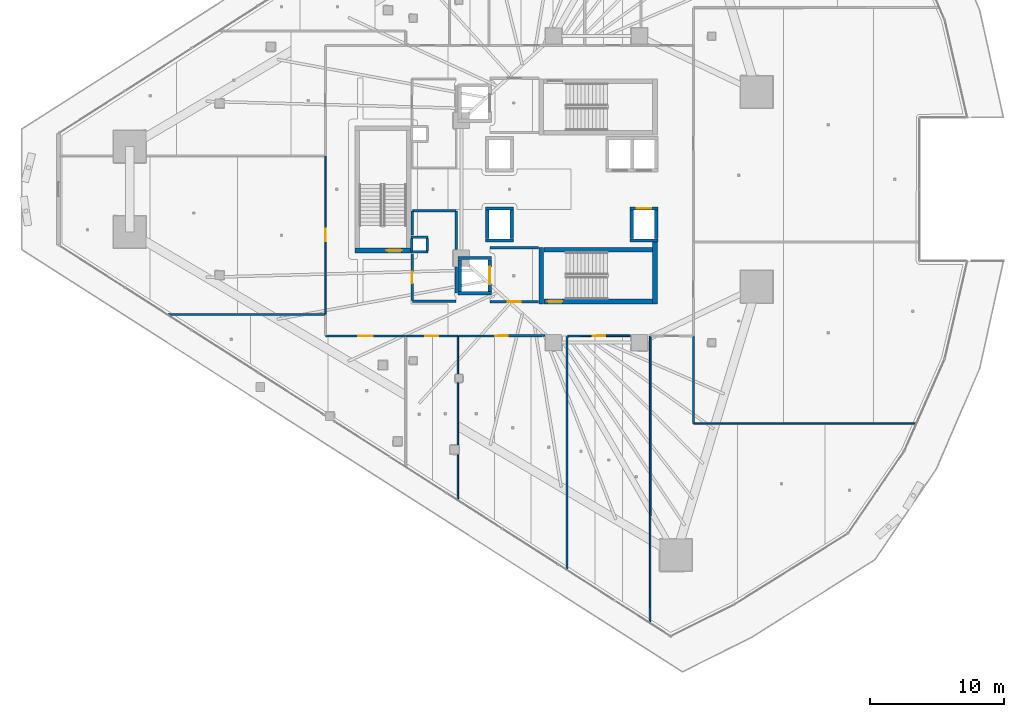
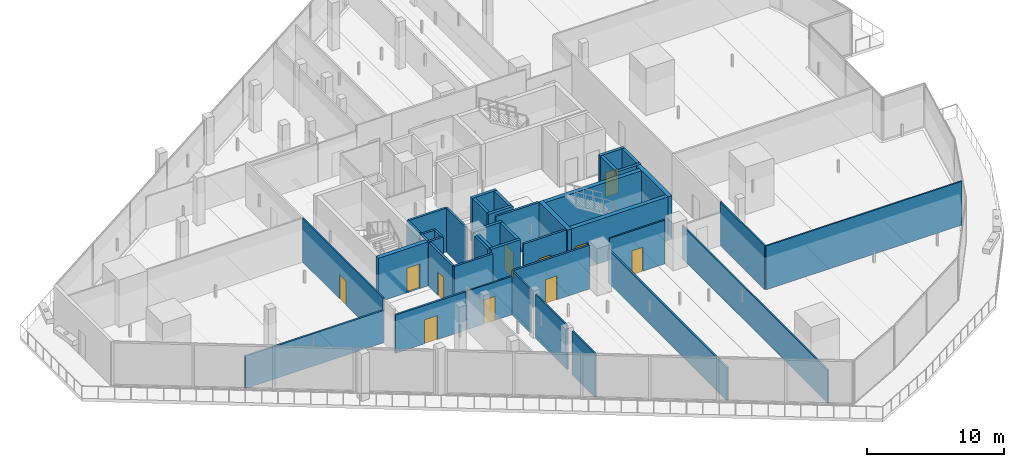
# One storey, part 28 of 44: 42 walls, 11 doors, 11 openings.
"""IFC4 building model written with IfcOpenShell, lengths in metres."""

from ifc_helpers import new_model, si_unit, direction, frame, frame_2d, origin, place, context, subcontext, project, spatial, rectangle, extrude, material, layer, layer_set, type_object, element, fill, save


model = new_model("IFC4")

# Units and contexts
model_context = context("Model", 3, precision=1e-05, world=origin(), true_north=direction((0.0, 1.0)))
body_context = subcontext(model_context, "Body", "Model", "MODEL_VIEW")
ifc_project = project(units=[si_unit("LENGTHUNIT", "METRE"), si_unit("AREAUNIT", "SQUARE_METRE"), si_unit("VOLUMEUNIT", "CUBIC_METRE"), si_unit("PLANEANGLEUNIT", "RADIAN"), si_unit("MASSUNIT", "GRAM", prefix="KILO")], contexts=[model_context])

# Site, building, storey
site_placement = place(None, origin())
site = spatial("IfcSite", under=ifc_project, at=site_placement, CompositionType="ELEMENT")
building_placement = place(site_placement, origin())
building = spatial("IfcBuilding", under=site, at=building_placement, Name="Qorvath Tower", CompositionType="ELEMENT")
storey_placement = place(building_placement, frame((0.0, 0.0, 45.0)))
storey = spatial("IfcBuildingStorey", under=building, at=storey_placement, Name="L09", CompositionType="ELEMENT", Elevation=45.0)

# Walls
ifc_material_1 = material(Name="Gypsum shaftliner on steel studs", Category="steel")
ifc_layer_1 = layer(ifc_material_1, 0.179931640625)
ifc_layer_set_1 = layer_set([ifc_layer_1], Name="FW-LOBBY")
wall_type_1 = type_object("IfcWallType", Name="FW-LOBBY", PredefinedType="PARTITIONING", material=ifc_layer_set_1)
for number, where, z_axis, x_axis, name in (
    (1, (-32.989990234375, -4.675048828125, 0.0), (0.0, 0.0, 1.0), (-1.0, 0.0, 0.0), "MEP Riser Shaft Enclosure Wall S-L09-S"),
    (2, (-34.260009765625, -3.594970703125, 0.0), (0.0, 0.0, 1.0), (1.0, 0.0, 0.0), "MEP Riser Shaft Enclosure Wall S-L09-N"),
):
    element("IfcWall", number, at=place(storey_placement, frame(where, z_axis=z_axis, x_axis=x_axis)), inside=storey, type_object=wall_type_1, Name=name, PredefinedType="PARTITIONING", context=body_context, shape_type="SweptSolid", body=[
        extrude(rectangle(XDim=1.27001953125, YDim=0.179931640625, at=frame_2d((0.635009765625, 0.0))), origin(), (0.0, 0.0, 1.0), 3.919921875),
    ])
for number, where, z_axis, x_axis, name in (
    (3, (-34.205078125, -4.610107421875, 0.0), (0.0, 0.0, 1.0), (0.0, 1.0, 0.0), "MEP Riser Shaft Enclosure Wall S-L09-W"),
    (4, (-33.044921875, -3.659912109375, 0.0), (0.0, 0.0, 1.0), (0.0, -1.0, 0.0), "MEP Riser Shaft Enclosure Wall S-L09-E"),
):
    element("IfcWall", number, at=place(storey_placement, frame(where, z_axis=z_axis, x_axis=x_axis)), inside=storey, type_object=wall_type_1, Name=name, PredefinedType="PARTITIONING", context=body_context, shape_type="SweptSolid", body=[
        extrude(rectangle(XDim=0.9501953125, YDim=0.179931640625, at=frame_2d((0.47509765625, 0.0))), origin(), (0.0, 0.0, 1.0), 3.919921875),
    ])

# Wall, opening, door
wall_1_placement = place(storey_placement, frame((-28.35498046875, -8.39990234375, 0.0), z_axis=(0.0, 0.0, 1.0), x_axis=(1.0, 0.0, 0.0)))
wall_1 = element("IfcWall", 5, at=wall_1_placement, inside=storey, type_object=wall_type_1, Name="Interior Partition IW-T1-L09-003", PredefinedType="PARTITIONING", context=body_context, shape_type="SweptSolid", body=[
    extrude(rectangle(XDim=3.6220703125, YDim=0.179931640625, at=frame_2d((1.81103515625, 0.0))), origin(), (0.0, 0.0, 1.0), 3.919921875),
])
opening_1_placement = place(wall_1_placement, frame((1.31103515625, 0.0, 0.0)))
opening_1 = element("IfcOpeningElement", 6, at=opening_1_placement, cuts=wall_1, Name="Opening D-T1-L09-18", PredefinedType="OPENING", context=body_context, shape_type="SweptSolid", body=[
    extrude(rectangle(XDim=1.0, YDim=2.14990234375, at=frame_2d((0.5, 1.074951171875))), frame((0.0, 0.10009765625, 0.0), z_axis=(0.0, -1.0, 0.0), x_axis=(1.0, 0.0, 0.0)), (0.0, 0.0, 1.0), 0.199951171875),
])
ifc_material_2 = material(Name="Painted galvanised hollow metal", Category="steel")
door_type_1 = type_object("IfcDoorType", Name="FD-60", OperationType="NOTDEFINED", PredefinedType="DOOR", material=ifc_material_2)
door_1_placement = place(opening_1_placement, origin())
door_1 = element("IfcDoor", 7, at=door_1_placement, inside=storey, type_object=door_type_1, Name="Lobby Fire Service Elevator South Door D-T1-L09-18", OperationType="SINGLE_SWING_LEFT", OverallHeight=2.14990234375, OverallWidth=1.0, PredefinedType="DOOR", context=body_context, shape_type="SweptSolid", body=[
    extrude(rectangle(XDim=1.0, YDim=2.14990234375, at=frame_2d((0.5, 1.074951171875))), frame((0.0, 0.02490234375, 0.0), z_axis=(0.0, -1.0, 0.0), x_axis=(1.0, 0.0, 0.0)), (0.0, 0.0, 1.0), 0.050048828125),
])
fill(opening_1, door_1)

# Walls
wall_2_placement = place(storey_placement, frame((-24.73291015625, -4.35009765625, 0.0), z_axis=(0.0, 0.0, 1.0), x_axis=(-1.0, 0.0, 0.0)))
element("IfcWall", 8, at=wall_2_placement, inside=storey, type_object=wall_type_1, Name="Interior Partition IW-T1-L09-004", PredefinedType="PARTITIONING", context=body_context, shape_type="SweptSolid", body=[
    extrude(rectangle(XDim=3.6220703125, YDim=0.179931640625, at=frame_2d((1.81103515625, 0.0))), origin(), (0.0, 0.0, 1.0), 3.919921875),
])
wall_3_placement = place(storey_placement, frame((-34.15478515625, -8.35009765625, 0.0), z_axis=(0.0, 0.0, 1.0), x_axis=(1.0, 0.0, 0.0)))
element("IfcWall", 9, at=wall_3_placement, inside=storey, type_object=wall_type_1, Name="Interior Partition IW-T1-L09-011", PredefinedType="PARTITIONING", context=body_context, shape_type="SweptSolid", body=[
    extrude(rectangle(XDim=3.25, YDim=0.179931640625, at=frame_2d((1.625, 0.0))), origin(), (0.0, 0.0, 1.0), 3.919921875),
])
wall_4_placement = place(storey_placement, frame((-30.8798828125, -7.742919921875, 0.0), z_axis=(0.0, 0.0, 1.0), x_axis=(0.0, 1.0, 0.0)))
element("IfcWall", 10, at=wall_4_placement, inside=storey, type_object=wall_type_1, Name="Interior Partition IW-T1-L09-012", PredefinedType="PARTITIONING", context=body_context, shape_type="SweptSolid", body=[
    extrude(rectangle(XDim=1.927978515625, YDim=0.179931640625, at=frame_2d((0.9638671875, 0.0))), origin(), (0.0, 0.0, 1.0), 3.919921875),
])
wall_5_placement = place(storey_placement, frame((-30.8798828125, -4.485107421875, 0.0), z_axis=(0.0, 0.0, 1.0), x_axis=(0.0, 1.0, 0.0)))
element("IfcWall", 11, at=wall_5_placement, inside=storey, type_object=wall_type_1, Name="Interior Partition IW-T1-L09-013", PredefinedType="PARTITIONING", context=body_context, shape_type="SweptSolid", body=[
    extrude(rectangle(XDim=2.860107421875, YDim=0.179931640625, at=frame_2d((1.43017578125, 0.0))), origin(), (0.0, 0.0, 1.0), 3.919921875),
])
wall_6_placement = place(storey_placement, frame((-30.90478515625, -1.60009765625, 0.0), z_axis=(0.0, 0.0, 1.0), x_axis=(-1.0, 0.0, 0.0)))
element("IfcWall", 12, at=wall_6_placement, inside=storey, type_object=wall_type_1, Name="Interior Partition IW-T1-L09-014", PredefinedType="PARTITIONING", context=body_context, shape_type="SweptSolid", body=[
    extrude(rectangle(XDim=3.25, YDim=0.179931640625, at=frame_2d((1.625, 0.0))), origin(), (0.0, 0.0, 1.0), 3.919921875),
])
wall_7_placement = place(storey_placement, frame((-34.179931640625, -1.625, 0.0), z_axis=(0.0, 0.0, 1.0), x_axis=(0.0, -1.0, 0.0)))
element("IfcWall", 13, at=wall_7_placement, inside=storey, type_object=wall_type_1, Name="Interior Partition IW-T1-L09-015", PredefinedType="PARTITIONING", context=body_context, shape_type="SweptSolid", body=[
    extrude(rectangle(XDim=1.804931640625, YDim=0.179931640625, at=frame_2d((0.90234375, 0.0))), origin(), (0.0, 0.0, 1.0), 3.919921875),
])

# Wall, opening, door
wall_8_placement = place(storey_placement, frame((-34.179931640625, -4.840087890625, 0.0), z_axis=(0.0, 0.0, 1.0), x_axis=(0.0, -1.0, 0.0)))
wall_8 = element("IfcWall", 14, at=wall_8_placement, inside=storey, type_object=wall_type_1, Name="Interior Partition IW-T1-L09-016", PredefinedType="PARTITIONING", context=body_context, shape_type="SweptSolid", body=[
    extrude(rectangle(XDim=3.485107421875, YDim=0.179931640625, at=frame_2d((1.74267578125, 0.0))), origin(), (0.0, 0.0, 1.0), 3.919921875),
])
opening_2_placement = place(wall_8_placement, frame((1.302490234375, 0.0, 0.0)))
opening_2 = element("IfcOpeningElement", 15, at=opening_2_placement, cuts=wall_8, Name="Opening D-T1-L09-02", PredefinedType="OPENING", context=body_context, shape_type="SweptSolid", body=[
    extrude(rectangle(XDim=0.8798828125, YDim=2.10009765625, at=frame_2d((0.43994140625, 1.050048828125))), frame((0.0, 0.10009765625, 0.0), z_axis=(0.0, -1.0, 0.0), x_axis=(1.0, 0.0, 0.0)), (0.0, 0.0, 1.0), 0.199951171875),
])
ifc_material_3 = material(Name="Painted galvanised hollow metal", Category="steel")
door_type_2 = type_object("IfcDoorType", Name="FD-60N", OperationType="NOTDEFINED", PredefinedType="DOOR", material=ifc_material_3)
door_2_placement = place(opening_2_placement, origin())
door_2 = element("IfcDoor", 16, at=door_2_placement, inside=storey, type_object=door_type_2, Name="Core electrical and cleaner room L09 Door D-T1-L09-02", OperationType="SINGLE_SWING_LEFT", OverallHeight=2.10009765625, OverallWidth=0.8798828125, PredefinedType="DOOR", context=body_context, shape_type="SweptSolid", body=[
    extrude(rectangle(XDim=0.8798828125, YDim=2.10009765625, at=frame_2d((0.43994140625, 1.050048828125))), frame((0.0, 0.02490234375, 0.0), z_axis=(0.0, -1.0, 0.0), x_axis=(1.0, 0.0, 0.0)), (0.0, 0.0, 1.0), 0.050048828125),
])
fill(opening_2, door_2)

ifc_material_4 = material(Name="Double acoustic gypsum board on steel studs", Category="steel")
ifc_layer_2 = layer(ifc_material_4, 0.159912109375)
ifc_layer_set_2 = layer_set([ifc_layer_2], Name="IW-ACOUSTIC-160")
wall_type_2 = type_object("IfcWallType", Name="IW-ACOUSTIC-160", PredefinedType="PARTITIONING", material=ifc_layer_set_2)
wall_9_placement = place(storey_placement, frame((-24.264892578125, -10.935302734375, 0.0), z_axis=(0.0, 0.0, 1.0), x_axis=(-0.999993822894, -0.003514850354, 0.0)))
wall_9 = element("IfcWall", 17, at=wall_9_placement, inside=storey, type_object=wall_type_2, Name="Interior Partition IW-T1-L09-037", PredefinedType="PARTITIONING", context=body_context, shape_type="SweptSolid", body=[
    extrude(rectangle(XDim=6.459716796875, YDim=0.159912109375, at=frame_2d((3.22998046875, 0.0))), origin(), (0.0, 0.0, 1.0), 3.919921875),
])
opening_3_placement = place(wall_9_placement, frame((2.7548828125, 0.0, 0.0)))
opening_3 = element("IfcOpeningElement", 18, at=opening_3_placement, cuts=wall_9, Name="Opening D-T1-L09-09", PredefinedType="OPENING", context=body_context, shape_type="SweptSolid", body=[
    extrude(rectangle(XDim=0.949951171875, YDim=2.14990234375, at=frame_2d((0.47509765625, 1.074951171875))), frame((0.0, 0.08984375, 0.0), z_axis=(0.0, -1.0, 0.0), x_axis=(1.0, 0.0, 0.0)), (0.0, 0.0, 1.0), 0.179931640625),
])
ifc_material_5 = material(Name="Solid-core American white oak veneer", Category="wood")
door_type_3 = type_object("IfcDoorType", Name="D-01", OperationType="NOTDEFINED", PredefinedType="DOOR", material=ifc_material_5)
door_3_placement = place(opening_3_placement, origin())
door_3 = element("IfcDoor", 19, at=door_3_placement, inside=storey, type_object=door_type_3, Name="L09-07 Breakout Reading Alcove Door D-T1-L09-09", OperationType="SINGLE_SWING_RIGHT", OverallHeight=2.14990234375, OverallWidth=0.949951171875, PredefinedType="DOOR", context=body_context, shape_type="SweptSolid", body=[
    extrude(rectangle(XDim=0.949951171875, YDim=2.14990234375, at=frame_2d((0.47509765625, 1.074951171875))), frame((0.0, 0.02490234375, 0.0), z_axis=(0.0, -1.0, 0.0), x_axis=(1.0, 0.0, 0.0)), (0.0, 0.0, 1.0), 0.050048828125),
])
fill(opening_3, door_3)

# Wall
wall_10_placement = place(storey_placement, frame((-22.6083984375, -28.378173828125, 0.0), z_axis=(0.0, 0.0, 1.0), x_axis=(0.001038581355, 0.999999460674, 0.0)))
element("IfcWall", 20, at=wall_10_placement, inside=storey, type_object=wall_type_2, Name="Interior Partition IW-T1-L09-038", PredefinedType="PARTITIONING", context=body_context, shape_type="SweptSolid", body=[
    extrude(rectangle(XDim=17.395263671875, YDim=0.159912109375, at=frame_2d((8.69775390625, 0.0))), origin(), (0.0, 0.0, 1.0), 2.956787109375),
])

# Wall, opening, door
wall_11_placement = place(storey_placement, frame((-34.68310546875, -10.9580078125, 0.0), z_axis=(0.0, 0.0, 1.0), x_axis=(-1.0, 0.0, 0.0)))
wall_11 = element("IfcWall", 21, at=wall_11_placement, inside=storey, type_object=wall_type_2, Name="Interior Partition IW-T1-L09-047", PredefinedType="PARTITIONING", context=body_context, shape_type="SweptSolid", body=[
    extrude(rectangle(XDim=5.949951171875, YDim=0.159912109375, at=frame_2d((2.97509765625, 0.0))), origin(), (0.0, 0.0, 1.0), 3.432861328125),
])
opening_4_placement = place(wall_11_placement, frame((2.425048828125, 0.0, 0.0)))
opening_4 = element("IfcOpeningElement", 22, at=opening_4_placement, cuts=wall_11, Name="Opening D-T1-L09-14", PredefinedType="OPENING", context=body_context, shape_type="SweptSolid", body=[
    extrude(rectangle(XDim=1.10009765625, YDim=2.14990234375, at=frame_2d((0.550048828125, 1.074951171875))), frame((0.0, 0.08984375, 0.0), z_axis=(0.0, -1.0, 0.0), x_axis=(1.0, 0.0, 0.0)), (0.0, 0.0, 1.0), 0.179931640625),
])
ifc_material_6 = material(Name="Anodised aluminium acoustic framed glass", Category="aluminium")
door_type_4 = type_object("IfcDoorType", Name="D-03", OperationType="NOTDEFINED", PredefinedType="DOOR", material=ifc_material_6)
door_4_placement = place(opening_4_placement, origin())
door_4 = element("IfcDoor", 23, at=door_4_placement, inside=storey, type_object=door_type_4, Name="L09-12 Client Services Office Door D-T1-L09-14", OperationType="SINGLE_SWING_LEFT", OverallHeight=2.14990234375, OverallWidth=1.10009765625, PredefinedType="DOOR", context=body_context, shape_type="SweptSolid", body=[
    extrude(rectangle(XDim=1.10009765625, YDim=2.14990234375, at=frame_2d((0.550048828125, 1.074951171875))), frame((0.0, 0.02490234375, 0.0), z_axis=(0.0, -1.0, 0.0), x_axis=(1.0, 0.0, 0.0)), (0.0, 0.0, 1.0), 0.050048828125),
])
fill(opening_4, door_4)

# Wall
wall_12_placement = place(storey_placement, frame((-40.68310546875, -9.349609375, 0.0), z_axis=(0.0, 0.0, 1.0), x_axis=(-1.0, 0.0, 0.0)))
element("IfcWall", 24, at=wall_12_placement, inside=storey, type_object=wall_type_2, Name="Interior Partition IW-T1-L09-049", PredefinedType="PARTITIONING", context=body_context, shape_type="SweptSolid", body=[
    extrude(rectangle(XDim=11.7431640625, YDim=0.159912109375, at=frame_2d((5.87158203125, 0.0))), origin(), (0.0, 0.0, 1.0), 2.889892578125),
])

# Wall, opening, door
ifc_material_7 = material(Name="Gypsum board on metal studs with mineral wool", Category="gypsum")
ifc_layer_3 = layer(ifc_material_7, 0.125)
ifc_layer_set_3 = layer_set([ifc_layer_3], Name="IW-PART-125")
wall_type_3 = type_object("IfcWallType", Name="IW-PART-125", PredefinedType="PARTITIONING", material=ifc_layer_set_3)
wall_13_placement = place(storey_placement, frame((-30.7822265625, -10.9580078125, 0.0), z_axis=(0.0, 0.0, 1.0), x_axis=(-1.0, 0.0, 0.0)))
wall_13 = element("IfcWall", 25, at=wall_13_placement, inside=storey, type_object=wall_type_3, Name="Interior Partition IW-T1-L09-032", PredefinedType="PARTITIONING", context=body_context, shape_type="SweptSolid", body=[
    extrude(rectangle(XDim=3.8427734375, YDim=0.125, at=frame_2d((1.92138671875, 0.0))), origin(), (0.0, 0.0, 1.0), 3.432861328125),
])
opening_5_placement = place(wall_13_placement, frame((1.4462890625, 0.0, 0.0)))
opening_5 = element("IfcOpeningElement", 26, at=opening_5_placement, cuts=wall_13, Name="Opening D-T1-L09-08", PredefinedType="OPENING", context=body_context, shape_type="SweptSolid", body=[
    extrude(rectangle(XDim=0.949951171875, YDim=2.14990234375, at=frame_2d((0.47509765625, 1.074951171875))), frame((0.0, 0.072509765625, 0.0), z_axis=(0.0, -1.0, 0.0), x_axis=(1.0, 0.0, 0.0)), (0.0, 0.0, 1.0), 0.14501953125),
])
door_5_placement = place(opening_5_placement, origin())
door_5 = element("IfcDoor", 27, at=door_5_placement, inside=storey, type_object=door_type_3, Name="L09-06 Executive Partner Office Door D-T1-L09-08", OperationType="SINGLE_SWING_LEFT", OverallHeight=2.14990234375, OverallWidth=0.949951171875, PredefinedType="DOOR", context=body_context, shape_type="SweptSolid", body=[
    extrude(rectangle(XDim=0.949951171875, YDim=2.14990234375, at=frame_2d((0.47509765625, 1.074951171875))), frame((0.0, 0.02490234375, 0.0), z_axis=(0.0, -1.0, 0.0), x_axis=(1.0, 0.0, 0.0)), (0.0, 0.0, 1.0), 0.050048828125),
])
fill(opening_5, door_5)

# Walls
wall_14_placement = place(storey_placement, frame((-30.75732421875, -23.169921875, 0.0), z_axis=(0.0, 0.0, 1.0), x_axis=(0.0, 1.0, 0.0)))
element("IfcWall", 28, at=wall_14_placement, inside=storey, type_object=wall_type_3, Name="Interior Partition IW-T1-L09-034", PredefinedType="PARTITIONING", context=body_context, shape_type="SweptSolid", body=[
    extrude(rectangle(XDim=3.319580078125, YDim=0.125, at=frame_2d((1.65966796875, 0.0))), origin(), (0.0, 0.0, 1.0), 3.919921875),
])
wall_15_placement = place(storey_placement, frame((-30.75732421875, -19.0703125, 0.0), z_axis=(0.0, 0.0, 1.0), x_axis=(0.0, 1.0, 0.0)))
element("IfcWall", 29, at=wall_15_placement, inside=storey, type_object=wall_type_3, Name="Interior Partition IW-T1-L09-035", PredefinedType="PARTITIONING", context=body_context, shape_type="SweptSolid", body=[
    extrude(rectangle(XDim=4.60595703125, YDim=0.125, at=frame_2d((2.302978515625, 0.0))), origin(), (0.0, 0.0, 1.0), 3.919921875),
])
wall_16_placement = place(storey_placement, frame((-30.75732421875, -13.7841796875, 0.0), z_axis=(0.0, 0.0, 1.0), x_axis=(0.0, 1.0, 0.0)))
element("IfcWall", 30, at=wall_16_placement, inside=storey, type_object=wall_type_3, Name="Interior Partition IW-T1-L09-036", PredefinedType="PARTITIONING", context=body_context, shape_type="SweptSolid", body=[
    extrude(rectangle(XDim=2.80126953125, YDim=0.125, at=frame_2d((1.400634765625, 0.0))), origin(), (0.0, 0.0, 1.0), 3.919921875),
])

# Wall, opening, door
wall_17_placement = place(storey_placement, frame((-17.864990234375, -10.935302734375, 0.0), z_axis=(0.0, 0.0, 1.0), x_axis=(-0.999988544042, -0.004786625705, 0.0)))
wall_17 = element("IfcWall", 31, at=wall_17_placement, inside=storey, type_object=wall_type_3, Name="Interior Partition IW-T1-L09-039", PredefinedType="PARTITIONING", context=body_context, shape_type="SweptSolid", body=[
    extrude(rectangle(XDim=4.6923828125, YDim=0.125, at=frame_2d((2.34619140625, 0.0))), origin(), (0.0, 0.0, 1.0), 3.919921875),
])
opening_6_placement = place(wall_17_placement, frame((1.871337890625, 0.0, 0.0)))
opening_6 = element("IfcOpeningElement", 32, at=opening_6_placement, cuts=wall_17, Name="Opening D-T1-L09-10", PredefinedType="OPENING", context=body_context, shape_type="SweptSolid", body=[
    extrude(rectangle(XDim=0.949951171875, YDim=2.14990234375, at=frame_2d((0.47509765625, 1.074951171875))), frame((0.0, 0.072509765625, 0.0), z_axis=(0.0, -1.0, 0.0), x_axis=(1.0, 0.0, 0.0)), (0.0, 0.0, 1.0), 0.14501953125),
])
door_6_placement = place(opening_6_placement, origin())
door_6 = element("IfcDoor", 33, at=door_6_placement, inside=storey, type_object=door_type_3, Name="L09-08 Quantitative Research Studio Door D-T1-L09-10", OperationType="SINGLE_SWING_LEFT", OverallHeight=2.14990234375, OverallWidth=0.949951171875, PredefinedType="DOOR", context=body_context, shape_type="SweptSolid", body=[
    extrude(rectangle(XDim=0.949951171875, YDim=2.14990234375, at=frame_2d((0.47509765625, 1.074951171875))), frame((0.0, 0.02490234375, 0.0), z_axis=(0.0, -1.0, 0.0), x_axis=(1.0, 0.0, 0.0)), (0.0, 0.0, 1.0), 0.050048828125),
])
fill(opening_6, door_6)

# Walls
wall_18_placement = place(storey_placement, frame((-16.395751953125, -32.348876953125, 0.0), z_axis=(0.0, 0.0, 1.0), x_axis=(0.000845569029, 0.999999642506, 0.0)))
element("IfcWall", 34, at=wall_18_placement, inside=storey, type_object=wall_type_3, Name="Interior Partition IW-T1-L09-040", PredefinedType="PARTITIONING", context=body_context, shape_type="SweptSolid", body=[
    extrude(rectangle(XDim=21.365966796875, YDim=0.125, at=frame_2d((10.68310546875, 0.0))), origin(), (0.0, 0.0, 1.0), 2.956787109375),
])
wall_19_placement = place(storey_placement, frame((3.427734375, -17.509765625, 0.0), z_axis=(0.0, 0.0, 1.0), x_axis=(-0.99999999467, 0.000103244837, 0.0)))
element("IfcWall", 35, at=wall_19_placement, inside=storey, type_object=wall_type_3, Name="Interior Partition IW-T1-L09-041", PredefinedType="PARTITIONING", context=body_context, shape_type="SweptSolid", body=[
    extrude(rectangle(XDim=16.552734375, YDim=0.125, at=frame_2d((8.2763671875, 0.0))), origin(), (0.0, 0.0, 1.0), 3.919921875),
])
wall_20_placement = place(storey_placement, frame((-13.14990234375, -10.98291015625, 0.0), z_axis=(0.0, 0.0, 1.0), x_axis=(0.0, -1.0, 0.0)))
element("IfcWall", 36, at=wall_20_placement, inside=storey, type_object=wall_type_3, Name="Interior Partition IW-T1-L09-042", PredefinedType="PARTITIONING", context=body_context, shape_type="SweptSolid", body=[
    extrude(rectangle(XDim=6.500244140625, YDim=0.125, at=frame_2d((3.25, 0.0))), origin(), (0.0, 0.0, 1.0), 3.919921875),
])

# Wall, opening, door
wall_21_placement = place(storey_placement, frame((-40.657958984375, -9.316650390625, 0.0), z_axis=(0.0, 0.0, 1.0), x_axis=(0.0, 1.0, 0.0)))
wall_21 = element("IfcWall", 37, at=wall_21_placement, inside=storey, type_object=wall_type_3, Name="Interior Partition IW-T1-L09-050", PredefinedType="PARTITIONING", context=body_context, shape_type="SweptSolid", body=[
    extrude(rectangle(XDim=11.791259765625, YDim=0.125, at=frame_2d((5.8955078125, 0.0))), origin(), (0.0, 0.0, 1.0), 3.919921875),
])
opening_7_placement = place(wall_21_placement, frame((5.420654296875, 0.0, 0.0)))
opening_7 = element("IfcOpeningElement", 38, at=opening_7_placement, cuts=wall_21, Name="Opening D-T1-L09-15", PredefinedType="OPENING", context=body_context, shape_type="SweptSolid", body=[
    extrude(rectangle(XDim=0.949951171875, YDim=2.14990234375, at=frame_2d((0.47509765625, 1.074951171875))), frame((0.0, 0.072509765625, 0.0), z_axis=(0.0, -1.0, 0.0), x_axis=(1.0, 0.0, 0.0)), (0.0, 0.0, 1.0), 0.14501953125),
])
door_7_placement = place(opening_7_placement, origin())
door_7 = element("IfcDoor", 39, at=door_7_placement, inside=storey, type_object=door_type_3, Name="L09-13 Project Collaboration Workspace Door D-T1-L09-15", OperationType="SINGLE_SWING_RIGHT", OverallHeight=2.14990234375, OverallWidth=0.949951171875, PredefinedType="DOOR", context=body_context, shape_type="SweptSolid", body=[
    extrude(rectangle(XDim=0.949951171875, YDim=2.14990234375, at=frame_2d((0.47509765625, 1.074951171875))), frame((0.0, 0.02490234375, 0.0), z_axis=(0.0, -1.0, 0.0), x_axis=(1.0, 0.0, 0.0)), (0.0, 0.0, 1.0), 0.050048828125),
])
fill(opening_7, door_7)

# Walls
ifc_material_8 = material(Name="Concrete C60/75", Category="concrete")
ifc_layer_4 = layer(ifc_material_8, 0.260009765625)
ifc_layer_set_4 = layer_set([ifc_layer_4], Name="SW-SHAFT")
wall_type_4 = type_object("IfcWallType", Name="SW-SHAFT", PredefinedType="SHEAR", material=ifc_layer_set_4)
for number, where, z_axis, x_axis, name in (
    (40, (-28.260009765625, -7.77001953125, 0.0), (0.0, 0.0, 1.0), (-1.0, 0.0, 0.0), "Hoistway Wall FSAE-2 L09 S"),
    (41, (-30.739990234375, -5.1298828125, 0.0), (0.0, 0.0, 1.0), (1.0, 0.0, 0.0), "Hoistway Wall FSAE-2 L09 N"),
):
    element("IfcWall", number, at=place(storey_placement, frame(where, z_axis=z_axis, x_axis=x_axis)), inside=storey, type_object=wall_type_4, Name=name, PredefinedType="SHEAR", context=body_context, shape_type="SweptSolid", body=[
        extrude(rectangle(XDim=2.47998046875, YDim=0.239990234375, at=frame_2d((1.239990234375, 0.0))), origin(), (0.0, 0.0, 1.0), 3.919921875),
    ])
wall_22_placement = place(storey_placement, frame((-30.6201171875, -7.637939453125, 0.0), z_axis=(0.0, 0.0, 1.0), x_axis=(0.0, 1.0, 0.0)))
element("IfcWall", 42, at=wall_22_placement, inside=storey, type_object=wall_type_4, Name="Hoistway Wall FSAE-2 L09 W", PredefinedType="SHEAR", context=body_context, shape_type="SweptSolid", body=[
    extrude(rectangle(XDim=2.3759765625, YDim=0.239990234375, at=frame_2d((1.18798828125, 0.0))), origin(), (0.0, 0.0, 1.0), 3.919921875),
])

# Wall, opening, door
wall_23_placement = place(storey_placement, frame((-28.3798828125, -5.261962890625, 0.0), z_axis=(0.0, 0.0, 1.0), x_axis=(0.0, -1.0, 0.0)))
wall_23 = element("IfcWall", 43, at=wall_23_placement, inside=storey, type_object=wall_type_4, Name="Hoistway Wall FSAE-2 L09 E", PredefinedType="SHEAR", context=body_context, shape_type="SweptSolid", body=[
    extrude(rectangle(XDim=2.3759765625, YDim=0.239990234375, at=frame_2d((1.18798828125, 0.0))), origin(), (0.0, 0.0, 1.0), 3.919921875),
])
opening_8_placement = place(wall_23_placement, frame((0.5380859375, 0.0, 0.0)))
opening_8 = element("IfcOpeningElement", 44, at=opening_8_placement, cuts=wall_23, Name="Opening LD-FSAE-2-L09", PredefinedType="OPENING", context=body_context, shape_type="SweptSolid", body=[
    extrude(rectangle(XDim=1.300048828125, YDim=2.300048828125, at=frame_2d((0.64990234375, 1.14990234375))), frame((0.0, 0.1298828125, 0.0), z_axis=(0.0, -1.0, 0.0), x_axis=(1.0, 0.0, 0.0)), (0.0, 0.0, 1.0), 0.260009765625),
])
ifc_material_9 = material(Name="Brushed stainless steel AISI 316", Category="steel")
door_type_5 = type_object("IfcDoorType", Name="LD-02", OperationType="NOTDEFINED", PredefinedType="DOOR", material=ifc_material_9)
door_8_placement = place(opening_8_placement, origin())
door_8 = element("IfcDoor", 45, at=door_8_placement, inside=storey, type_object=door_type_5, Name="Elevator Landing Sliding Door LD-FSAE-2-L09", OperationType="DOUBLE_DOOR_SLIDING", OverallHeight=2.300048828125, OverallWidth=1.300048828125, PredefinedType="DOOR", context=body_context, shape_type="SweptSolid", body=[
    extrude(rectangle(XDim=1.300048828125, YDim=2.300048828125, at=frame_2d((0.64990234375, 1.14990234375))), frame((0.0, 0.02490234375, 0.0), z_axis=(0.0, -1.0, 0.0), x_axis=(1.0, 0.0, 0.0)), (0.0, 0.0, 1.0), 0.050048828125),
])
fill(opening_8, door_8)

# Walls
for number, where, z_axis, x_axis, name in (
    (46, (-26.610107421875, -3.820068359375, 0.0), (0.0, 0.0, 1.0), (-1.0, 0.0, 0.0), "Hoistway Wall PS-2 L09 S"),
    (47, (-28.68994140625, -1.429931640625, 0.0), (0.0, 0.0, 1.0), (1.0, 0.0, 0.0), "Hoistway Wall PS-2 L09 N"),
):
    element("IfcWall", number, at=place(storey_placement, frame(where, z_axis=z_axis, x_axis=x_axis)), inside=storey, type_object=wall_type_4, Name=name, PredefinedType="SHEAR", context=body_context, shape_type="SweptSolid", body=[
        extrude(rectangle(XDim=2.079833984375, YDim=0.239990234375, at=frame_2d((1.0400390625, 0.0))), origin(), (0.0, 0.0, 1.0), 3.919921875),
    ])
for number, where, z_axis, x_axis, name in (
    (48, (-28.570068359375, -3.68798828125, 0.0), (0.0, 0.0, 1.0), (0.0, 1.0, 0.0), "Hoistway Wall PS-2 L09 W"),
    (49, (-26.72998046875, -1.56201171875, 0.0), (0.0, 0.0, 1.0), (0.0, -1.0, 0.0), "Hoistway Wall PS-2 L09 E"),
):
    element("IfcWall", number, at=place(storey_placement, frame(where, z_axis=z_axis, x_axis=x_axis)), inside=storey, type_object=wall_type_4, Name=name, PredefinedType="SHEAR", context=body_context, shape_type="SweptSolid", body=[
        extrude(rectangle(XDim=2.1259765625, YDim=0.239990234375, at=frame_2d((1.06298828125, 0.0))), origin(), (0.0, 0.0, 1.0), 3.919921875),
    ])
wall_24_placement = place(storey_placement, frame((-15.81005859375, -3.820068359375, 0.0), z_axis=(0.0, 0.0, 1.0), x_axis=(-1.0, 0.0, 0.0)))
element("IfcWall", 50, at=wall_24_placement, inside=storey, type_object=wall_type_4, Name="Hoistway Wall PL-2 L09 S", PredefinedType="SHEAR", context=body_context, shape_type="SweptSolid", body=[
    extrude(rectangle(XDim=2.079833984375, YDim=0.239990234375, at=frame_2d((1.0400390625, 0.0))), origin(), (0.0, 0.0, 1.0), 3.919921875),
])

# Wall, opening, door
wall_25_placement = place(storey_placement, frame((-17.889892578125, -1.429931640625, 0.0), z_axis=(0.0, 0.0, 1.0), x_axis=(1.0, 0.0, 0.0)))
wall_25 = element("IfcWall", 51, at=wall_25_placement, inside=storey, type_object=wall_type_4, Name="Hoistway Wall PL-2 L09 N", PredefinedType="SHEAR", context=body_context, shape_type="SweptSolid", body=[
    extrude(rectangle(XDim=2.079833984375, YDim=0.239990234375, at=frame_2d((1.0400390625, 0.0))), origin(), (0.0, 0.0, 1.0), 3.919921875),
])
opening_9_placement = place(wall_25_placement, frame((0.48974609375, 0.0, 0.0)))
opening_9 = element("IfcOpeningElement", 52, at=opening_9_placement, cuts=wall_25, Name="Opening LD-PL-2-L09", PredefinedType="OPENING", context=body_context, shape_type="SweptSolid", body=[
    extrude(rectangle(XDim=1.10009765625, YDim=2.199951171875, at=frame_2d((0.550048828125, 1.10009765625))), frame((0.0, 0.1298828125, 0.0), z_axis=(0.0, -1.0, 0.0), x_axis=(1.0, 0.0, 0.0)), (0.0, 0.0, 1.0), 0.260009765625),
])
ifc_material_10 = material(Name="Brushed stainless steel AISI 316", Category="steel")
door_type_6 = type_object("IfcDoorType", Name="LD-01", OperationType="NOTDEFINED", PredefinedType="DOOR", material=ifc_material_10)
door_9_placement = place(opening_9_placement, origin())
door_9 = element("IfcDoor", 53, at=door_9_placement, inside=storey, type_object=door_type_6, Name="Elevator Landing Sliding Door LD-PL-2-L09", OperationType="DOUBLE_DOOR_SLIDING", OverallHeight=2.199951171875, OverallWidth=1.10009765625, PredefinedType="DOOR", context=body_context, shape_type="SweptSolid", body=[
    extrude(rectangle(XDim=1.10009765625, YDim=2.199951171875, at=frame_2d((0.550048828125, 1.10009765625))), frame((0.0, 0.02490234375, 0.0), z_axis=(0.0, -1.0, 0.0), x_axis=(1.0, 0.0, 0.0)), (0.0, 0.0, 1.0), 0.050048828125),
])
fill(opening_9, door_9)

# Walls
for number, where, z_axis, x_axis, name in (
    (54, (-17.77001953125, -3.68798828125, 0.0), (0.0, 0.0, 1.0), (0.0, 1.0, 0.0), "Hoistway Wall PL-2 L09 W"),
    (55, (-15.929931640625, -1.56201171875, 0.0), (0.0, 0.0, 1.0), (0.0, -1.0, 0.0), "Hoistway Wall PL-2 L09 E"),
):
    element("IfcWall", number, at=place(storey_placement, frame(where, z_axis=z_axis, x_axis=x_axis)), inside=storey, type_object=wall_type_4, Name=name, PredefinedType="SHEAR", context=body_context, shape_type="SweptSolid", body=[
        extrude(rectangle(XDim=2.1259765625, YDim=0.239990234375, at=frame_2d((1.06298828125, 0.0))), origin(), (0.0, 0.0, 1.0), 3.919921875),
    ])
ifc_material_11 = material(Name="Concrete C60/75", Category="concrete")
ifc_layer_5 = layer(ifc_material_11, 0.35009765625)
ifc_layer_set_5 = layer_set([ifc_layer_5], Name="SW-STAIR")
wall_type_5 = type_object("IfcWallType", Name="SW-STAIR", PredefinedType="SHEAR", material=ifc_layer_set_5)
wall_26_placement = place(storey_placement, frame((-24.52490234375, -4.340087890625, 0.0), z_axis=(0.0, 0.0, 1.0), x_axis=(0.0, -1.0, 0.0)))
element("IfcWall", 56, at=wall_26_placement, inside=storey, type_object=wall_type_5, Name="Stair TS2 Shear Wall L09 NEAR", PredefinedType="SHEAR", context=body_context, shape_type="SweptSolid", body=[
    extrude(rectangle(XDim=4.2099609375, YDim=0.35009765625, at=frame_2d((2.10498046875, 0.0))), origin(), (0.0, 0.0, 1.0), 3.919921875),
])
wall_27_placement = place(storey_placement, frame((-16.02490234375, -8.550048828125, 0.0), z_axis=(0.0, 0.0, 1.0), x_axis=(0.0, 1.0, 0.0)))
element("IfcWall", 57, at=wall_27_placement, inside=storey, type_object=wall_type_5, Name="Stair TS2 Shear Wall L09 FAR", PredefinedType="SHEAR", context=body_context, shape_type="SweptSolid", body=[
    extrude(rectangle(XDim=4.610107421875, YDim=0.35009765625, at=frame_2d((2.30517578125, 0.0))), origin(), (0.0, 0.0, 1.0), 3.919921875),
])

# Wall, opening, door
wall_28_placement = place(storey_placement, frame((-24.3349609375, -8.375, 0.0), z_axis=(0.0, 0.0, 1.0), x_axis=(1.0, 0.0, 0.0)))
wall_28 = element("IfcWall", 58, at=wall_28_placement, inside=storey, type_object=wall_type_5, Name="Stair TS2 Shear Wall L09 LEFT", PredefinedType="SHEAR", context=body_context, shape_type="SweptSolid", body=[
    extrude(rectangle(XDim=8.119873046875, YDim=0.35009765625, at=frame_2d((4.06005859375, 0.0))), origin(), (0.0, 0.0, 1.0), 3.919921875),
])
opening_10_placement = place(wall_28_placement, frame((0.280029296875, 0.0, 0.0)))
opening_10 = element("IfcOpeningElement", 59, at=opening_10_placement, cuts=wall_28, Name="Opening D-TS2-L09", PredefinedType="OPENING", context=body_context, shape_type="SweptSolid", body=[
    extrude(rectangle(XDim=1.10009765625, YDim=2.199951171875, at=frame_2d((0.550048828125, 1.10009765625))), frame((0.0, 0.18505859375, 0.0), z_axis=(0.0, -1.0, 0.0), x_axis=(1.0, 0.0, 0.0)), (0.0, 0.0, 1.0), 0.3701171875),
])
ifc_material_12 = material(Name="Painted galvanised hollow metal", Category="steel")
door_type_7 = type_object("IfcDoorType", Name="FD-90", OperationType="NOTDEFINED", PredefinedType="DOOR", material=ifc_material_12)
door_10_placement = place(opening_10_placement, origin())
door_10 = element("IfcDoor", 60, at=door_10_placement, inside=storey, type_object=door_type_7, Name="Stair TS2 Fire Door L09", OperationType="SINGLE_SWING_RIGHT", OverallHeight=2.199951171875, OverallWidth=1.10009765625, PredefinedType="DOOR", context=body_context, shape_type="SweptSolid", body=[
    extrude(rectangle(XDim=1.10009765625, YDim=2.199951171875, at=frame_2d((0.550048828125, 1.10009765625))), frame((0.0, 0.02490234375, 0.0), z_axis=(0.0, -1.0, 0.0), x_axis=(1.0, 0.0, 0.0)), (0.0, 0.0, 1.0), 0.050048828125),
])
fill(opening_10, door_10)

# Wall
wall_29_placement = place(storey_placement, frame((-16.215087890625, -4.514892578125, 0.0), z_axis=(0.0, 0.0, 1.0), x_axis=(-1.0, 0.0, 0.0)))
element("IfcWall", 61, at=wall_29_placement, inside=storey, type_object=wall_type_5, Name="Stair TS2 Shear Wall L09 RIGHT", PredefinedType="SHEAR", context=body_context, shape_type="SweptSolid", body=[
    extrude(rectangle(XDim=8.119873046875, YDim=0.35009765625, at=frame_2d((4.06005859375, 0.0))), origin(), (0.0, 0.0, 1.0), 3.919921875),
])

# Wall, opening, door
wall_30_placement = place(storey_placement, frame((-38.4599609375, -4.574951171875, 0.0), z_axis=(0.0, 0.0, 1.0), x_axis=(1.0, 0.0, 0.0)))
wall_30 = element("IfcWall", 62, at=wall_30_placement, inside=storey, type_object=wall_type_5, Name="Stair TS3 Shear Wall L09 NEAR", PredefinedType="SHEAR", context=body_context, shape_type="SweptSolid", body=[
    extrude(rectangle(XDim=4.2099609375, YDim=0.35009765625, at=frame_2d((2.10498046875, 0.0))), origin(), (0.0, 0.0, 1.0), 3.919921875),
])
opening_11_placement = place(wall_30_placement, frame((2.389892578125, 0.0, 0.0)))
opening_11 = element("IfcOpeningElement", 63, at=opening_11_placement, cuts=wall_30, Name="Opening D-TS3-L09", PredefinedType="OPENING", context=body_context, shape_type="SweptSolid", body=[
    extrude(rectangle(XDim=1.10009765625, YDim=2.199951171875, at=frame_2d((0.550048828125, 1.10009765625))), frame((0.0, 0.18505859375, 0.0), z_axis=(0.0, -1.0, 0.0), x_axis=(1.0, 0.0, 0.0)), (0.0, 0.0, 1.0), 0.3701171875),
])
door_11_placement = place(opening_11_placement, origin())
door_11 = element("IfcDoor", 64, at=door_11_placement, inside=storey, type_object=door_type_7, Name="Stair TS3 Fire Door L09", OperationType="SINGLE_SWING_RIGHT", OverallHeight=2.199951171875, OverallWidth=1.10009765625, PredefinedType="DOOR", context=body_context, shape_type="SweptSolid", body=[
    extrude(rectangle(XDim=1.10009765625, YDim=2.199951171875, at=frame_2d((0.550048828125, 1.10009765625))), frame((0.0, 0.02490234375, 0.0), z_axis=(0.0, -1.0, 0.0), x_axis=(1.0, 0.0, 0.0)), (0.0, 0.0, 1.0), 0.050048828125),
])
fill(opening_11, door_11)

save(model, "model.ifc")
